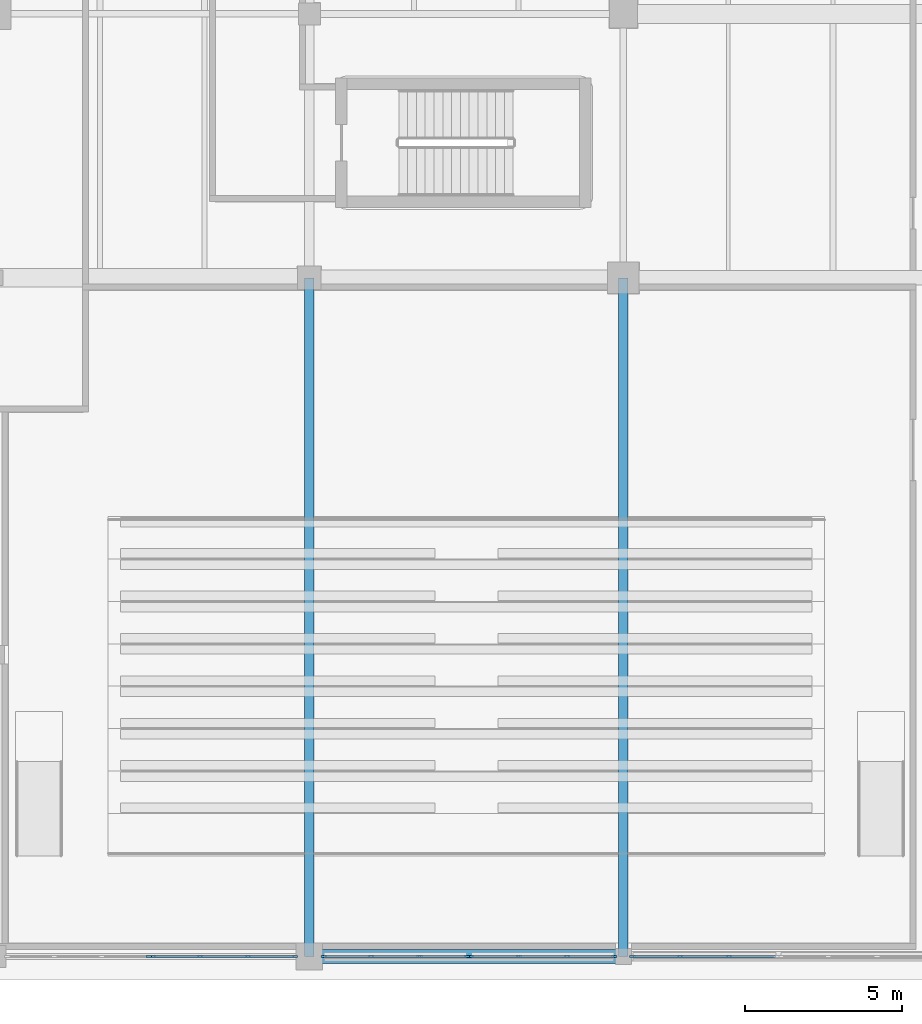
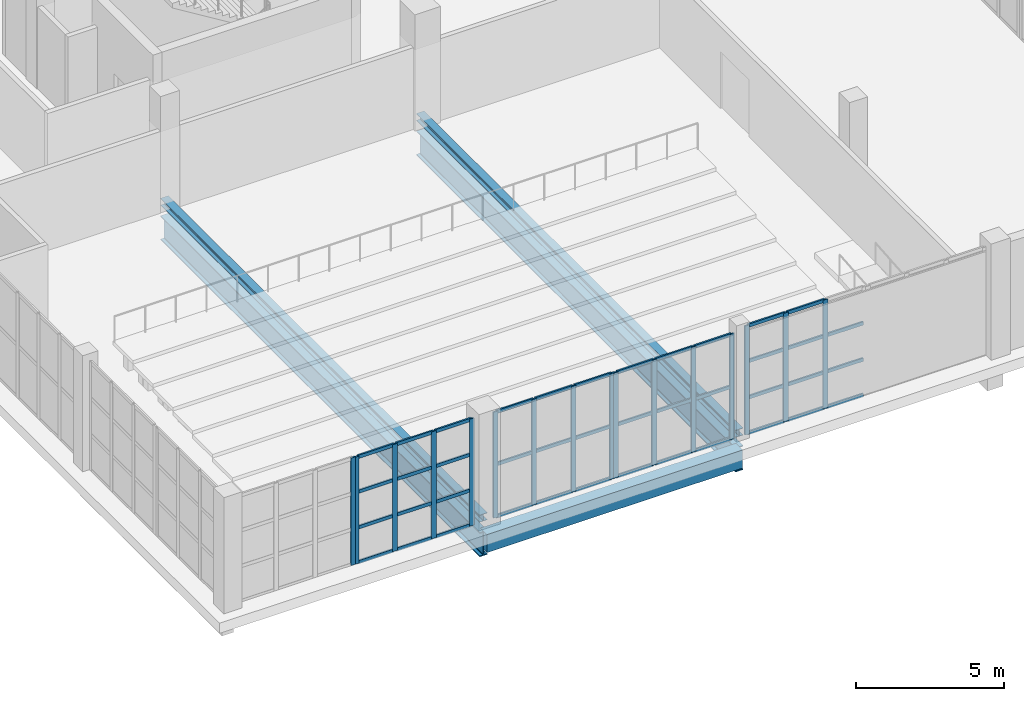
# One storey, part 59 of 121: 57 members, 5 beams, 5 elements without a shape of their own.
"""IFC4 building model written with IfcOpenShell, lengths in metres."""

from ifc_helpers import new_model, si_unit, direction, frame, origin, origin_2d, place, context, subcontext, project, spatial, rectangle, i_section, extrude, material, layer, layer_set, material_profile, profile_set, type_object, element, aggregate, save


model = new_model("IFC4")

# Units and contexts
model_context = context("Model", 3, precision=1e-05, world=origin(), true_north=direction((0.0, 1.0)))
body_context = subcontext(model_context, "Body", "Model", "MODEL_VIEW")
ifc_project = project(units=[si_unit("LENGTHUNIT", "METRE"), si_unit("AREAUNIT", "SQUARE_METRE"), si_unit("VOLUMEUNIT", "CUBIC_METRE"), si_unit("PLANEANGLEUNIT", "RADIAN"), si_unit("MASSUNIT", "GRAM", prefix="KILO")], contexts=[model_context])

# Site, building, storey
site_placement = place(None, origin())
site = spatial("IfcSite", under=ifc_project, at=site_placement, CompositionType="ELEMENT")
building_placement = place(site_placement, origin())
building = spatial("IfcBuilding", under=site, at=building_placement, Name="Zereglee Splitstone Museum", CompositionType="ELEMENT")
storey_placement = place(building_placement, origin())
storey = spatial("IfcBuildingStorey", under=building, at=storey_placement, Name="L00", CompositionType="ELEMENT", Elevation=0.0)

# Curtain wall, member
ifc_material_1 = material(Name="Triple-glazed low-E argon glass and bronze-anodised aluminium", Category="aluminium")
ifc_layer_1 = layer(ifc_material_1, 0.179931640625)
ifc_layer_set_1 = layer_set([ifc_layer_1], Name="Triple-glazed low-E argon glass and bronze-anodised aluminium")
curtain_wall_type_1 = type_object("IfcCurtainWallType", Name="CW-0456-444", PredefinedType="USERDEFINED", material=ifc_layer_set_1)
curtain_wall_1_placement = place(storey_placement, origin())
curtain_wall_1 = element("IfcCurtainWall", 1, at=curtain_wall_1_placement, inside=storey, type_object=curtain_wall_type_1, Name="Glazed Curtain Wall CW-0456-444 (L00)", ObjectType="GLAZED CURTAIN WALL", PredefinedType="USERDEFINED")
ifc_material_2 = material(Name="Thermally broken bronze-anodised aluminium", Category="aluminium")
ifc_material_profile_1 = material_profile(ifc_material_2, rectangle(XDim=0.06494140625, YDim=0.179931640625, at=origin_2d()), Name="CW MULL 65x180")
ifc_profile_set_1 = profile_set([ifc_material_profile_1], Name="Thermally broken bronze-anodised aluminium")
member_type_1 = type_object("IfcMemberType", Name="CWM-01", PredefinedType="MULLION", material=ifc_profile_set_1)
member_1_placement = place(storey_placement, frame((260.889892578125, 0.0, 0.0), z_axis=(0.0, 0.0, 1.0), x_axis=(0.0, 1.0, 0.0)))
member_1 = element("IfcMember", 2, at=member_1_placement, type_object=member_type_1, Name="CW-0456-444 mullion 4", PredefinedType="MULLION", context=body_context, shape_type="SweptSolid", body=[
    extrude(rectangle(XDim=0.06494140625, YDim=0.179931640625, at=origin_2d()), origin(), (0.0, 0.0, 1.0), 4.43994140625),
])
aggregate(curtain_wall_1, [member_1])

# Curtain wall, members
ifc_layer_2 = layer(ifc_material_1, 0.179931640625)
ifc_layer_set_2 = layer_set([ifc_layer_2], Name="Triple-glazed low-E argon glass and bronze-anodised aluminium")
curtain_wall_type_2 = type_object("IfcCurtainWallType", Name="CW-0456-442", PredefinedType="USERDEFINED", material=ifc_layer_set_2)
curtain_wall_2_placement = place(storey_placement, origin())
curtain_wall_2 = element("IfcCurtainWall", 3, at=curtain_wall_2_placement, inside=storey, type_object=curtain_wall_type_2, Name="Glazed Curtain Wall CW-0456-442 (L00)", ObjectType="GLAZED CURTAIN WALL", PredefinedType="USERDEFINED")
member_2_placement = place(storey_placement, frame((261.034912109375, 0.0, 0.0), z_axis=(0.0, 0.0, 1.0), x_axis=(0.0, 1.0, 0.0)))
member_2 = element("IfcMember", 4, at=member_2_placement, type_object=member_type_1, Name="CW-0456-442 mullion 1", PredefinedType="MULLION", context=body_context, shape_type="SweptSolid", body=[
    extrude(rectangle(XDim=0.06494140625, YDim=0.179931640625, at=origin_2d()), origin(), (0.0, 0.0, 1.0), 4.419921875),
])
member_3_placement = place(storey_placement, frame((262.52392578125, 0.0, 0.0), z_axis=(0.0, 0.0, 1.0), x_axis=(0.0, 1.0, 0.0)))
member_3 = element("IfcMember", 5, at=member_3_placement, type_object=member_type_1, Name="CW-0456-442 mullion 2", PredefinedType="MULLION", context=body_context, shape_type="SweptSolid", body=[
    extrude(rectangle(XDim=0.06494140625, YDim=0.179931640625, at=origin_2d()), origin(), (0.0, 0.0, 1.0), 4.419921875),
])
member_4_placement = place(storey_placement, frame((264.04541015625, 0.0, 0.0), z_axis=(0.0, 0.0, 1.0), x_axis=(0.0, 1.0, 0.0)))
member_4 = element("IfcMember", 6, at=member_4_placement, type_object=member_type_1, Name="CW-0456-442 mullion 3", PredefinedType="MULLION", context=body_context, shape_type="SweptSolid", body=[
    extrude(rectangle(XDim=0.06494140625, YDim=0.179931640625, at=origin_2d()), origin(), (0.0, 0.0, 1.0), 4.419921875),
])
member_5_placement = place(storey_placement, frame((265.534423828125, 0.0, 0.0), z_axis=(0.0, 0.0, 1.0), x_axis=(0.0, 1.0, 0.0)))
member_5 = element("IfcMember", 7, at=member_5_placement, type_object=member_type_1, Name="CW-0456-442 mullion 4", PredefinedType="MULLION", context=body_context, shape_type="SweptSolid", body=[
    extrude(rectangle(XDim=0.06494140625, YDim=0.179931640625, at=origin_2d()), origin(), (0.0, 0.0, 1.0), 4.419921875),
])

ifc_layer_3 = layer(ifc_material_1, 0.179931640625)
ifc_layer_set_3 = layer_set([ifc_layer_3], Name="Triple-glazed low-E argon glass and bronze-anodised aluminium")
curtain_wall_type_3 = type_object("IfcCurtainWallType", Name="CW-0461-438", PredefinedType="USERDEFINED", material=ifc_layer_set_3)
curtain_wall_3_placement = place(storey_placement, origin())
curtain_wall_3 = element("IfcCurtainWall", 8, at=curtain_wall_3_placement, inside=storey, type_object=curtain_wall_type_3, Name="Glazed Curtain Wall CW-0461-438 (L00)", ObjectType="GLAZED CURTAIN WALL", PredefinedType="USERDEFINED")
member_6_placement = place(storey_placement, frame((266.465576171875, 0.0, 0.0), z_axis=(0.0, 0.0, 1.0), x_axis=(0.0, 1.0, 0.0)))
member_6 = element("IfcMember", 9, at=member_6_placement, type_object=member_type_1, Name="CW-0461-438 mullion 1", PredefinedType="MULLION", context=body_context, shape_type="SweptSolid", body=[
    extrude(rectangle(XDim=0.06494140625, YDim=0.179931640625, at=origin_2d()), origin(), (0.0, 0.0, 1.0), 4.3798828125),
])
member_7_placement = place(storey_placement, frame((267.97119140625, 0.0, 0.0), z_axis=(0.0, 0.0, 1.0), x_axis=(0.0, 1.0, 0.0)))
member_7 = element("IfcMember", 10, at=member_7_placement, type_object=member_type_1, Name="CW-0461-438 mullion 2", PredefinedType="MULLION", context=body_context, shape_type="SweptSolid", body=[
    extrude(rectangle(XDim=0.06494140625, YDim=0.179931640625, at=origin_2d()), origin(), (0.0, 0.0, 1.0), 4.3798828125),
])
member_8_placement = place(storey_placement, frame((269.50927734375, 0.0, 0.0), z_axis=(0.0, 0.0, 1.0), x_axis=(0.0, 1.0, 0.0)))
member_8 = element("IfcMember", 11, at=member_8_placement, type_object=member_type_1, Name="CW-0461-438 mullion 3", PredefinedType="MULLION", context=body_context, shape_type="SweptSolid", body=[
    extrude(rectangle(XDim=0.06494140625, YDim=0.179931640625, at=origin_2d()), origin(), (0.0, 0.0, 1.0), 4.3798828125),
])
member_9_placement = place(storey_placement, frame((271.014892578125, 0.0, 0.0), z_axis=(0.0, 0.0, 1.0), x_axis=(0.0, 1.0, 0.0)))
member_9 = element("IfcMember", 12, at=member_9_placement, type_object=member_type_1, Name="CW-0461-438 mullion 4", PredefinedType="MULLION", context=body_context, shape_type="SweptSolid", body=[
    extrude(rectangle(XDim=0.06494140625, YDim=0.179931640625, at=origin_2d()), origin(), (0.0, 0.0, 1.0), 4.3798828125),
])

ifc_layer_4 = layer(ifc_material_1, 0.179931640625)
ifc_layer_set_4 = layer_set([ifc_layer_4], Name="Triple-glazed low-E argon glass and bronze-anodised aluminium")
curtain_wall_type_4 = type_object("IfcCurtainWallType", Name="CW-0461-436", PredefinedType="USERDEFINED", material=ifc_layer_set_4)
curtain_wall_4_placement = place(storey_placement, origin())
curtain_wall_4 = element("IfcCurtainWall", 13, at=curtain_wall_4_placement, inside=storey, type_object=curtain_wall_type_4, Name="Glazed Curtain Wall CW-0461-436 (L00)", ObjectType="GLAZED CURTAIN WALL", PredefinedType="USERDEFINED")
member_10_placement = place(storey_placement, frame((271.159912109375, 0.0, 0.0), z_axis=(0.0, 0.0, 1.0), x_axis=(0.0, 1.0, 0.0)))
member_10 = element("IfcMember", 14, at=member_10_placement, type_object=member_type_1, Name="CW-0461-436 mullion 1", PredefinedType="MULLION", context=body_context, shape_type="SweptSolid", body=[
    extrude(rectangle(XDim=0.06494140625, YDim=0.179931640625, at=origin_2d()), origin(), (0.0, 0.0, 1.0), 4.360107421875),
])
member_11_placement = place(storey_placement, frame((272.665771484375, 0.0, 0.0), z_axis=(0.0, 0.0, 1.0), x_axis=(0.0, 1.0, 0.0)))
member_11 = element("IfcMember", 15, at=member_11_placement, type_object=member_type_1, Name="CW-0461-436 mullion 2", PredefinedType="MULLION", context=body_context, shape_type="SweptSolid", body=[
    extrude(rectangle(XDim=0.06494140625, YDim=0.179931640625, at=origin_2d()), origin(), (0.0, 0.0, 1.0), 4.360107421875),
])
member_12_placement = place(storey_placement, frame((274.203857421875, 0.0, 0.0), z_axis=(0.0, 0.0, 1.0), x_axis=(0.0, 1.0, 0.0)))
member_12 = element("IfcMember", 16, at=member_12_placement, type_object=member_type_1, Name="CW-0461-436 mullion 3", PredefinedType="MULLION", context=body_context, shape_type="SweptSolid", body=[
    extrude(rectangle(XDim=0.06494140625, YDim=0.179931640625, at=origin_2d()), origin(), (0.0, 0.0, 1.0), 4.360107421875),
])
member_13_placement = place(storey_placement, frame((275.70947265625, 0.0, 0.0), z_axis=(0.0, 0.0, 1.0), x_axis=(0.0, 1.0, 0.0)))
member_13 = element("IfcMember", 17, at=member_13_placement, type_object=member_type_1, Name="CW-0461-436 mullion 4", PredefinedType="MULLION", context=body_context, shape_type="SweptSolid", body=[
    extrude(rectangle(XDim=0.06494140625, YDim=0.179931640625, at=origin_2d()), origin(), (0.0, 0.0, 1.0), 4.360107421875),
])

ifc_layer_5 = layer(ifc_material_1, 0.179931640625)
ifc_layer_set_5 = layer_set([ifc_layer_5], Name="Triple-glazed low-E argon glass and bronze-anodised aluminium")
curtain_wall_type_5 = type_object("IfcCurtainWallType", Name="CW-0464-450", PredefinedType="USERDEFINED", material=ifc_layer_set_5)
curtain_wall_5_placement = place(storey_placement, origin())
curtain_wall_5 = element("IfcCurtainWall", 18, at=curtain_wall_5_placement, inside=storey, type_object=curtain_wall_type_5, Name="Glazed Curtain Wall CW-0464-450 (L00)", ObjectType="GLAZED CURTAIN WALL", PredefinedType="USERDEFINED")
member_14_placement = place(storey_placement, frame((276.29052734375, 0.0, 0.0), z_axis=(0.0, 0.0, 1.0), x_axis=(0.0, 1.0, 0.0)))
member_14 = element("IfcMember", 19, at=member_14_placement, type_object=member_type_1, Name="CW-0464-450 mullion 1", PredefinedType="MULLION", context=body_context, shape_type="SweptSolid", body=[
    extrude(rectangle(XDim=0.06494140625, YDim=0.179931640625, at=origin_2d()), origin(), (0.0, 0.0, 1.0), 4.5),
])
member_15_placement = place(storey_placement, frame((277.804443359375, 0.0, 0.0), z_axis=(0.0, 0.0, 1.0), x_axis=(0.0, 1.0, 0.0)))
member_15 = element("IfcMember", 20, at=member_15_placement, type_object=member_type_1, Name="CW-0464-450 mullion 2", PredefinedType="MULLION", context=body_context, shape_type="SweptSolid", body=[
    extrude(rectangle(XDim=0.06494140625, YDim=0.179931640625, at=origin_2d()), origin(), (0.0, 0.0, 1.0), 4.5),
])
member_16_placement = place(storey_placement, frame((279.35107421875, 0.0, 0.0), z_axis=(0.0, 0.0, 1.0), x_axis=(0.0, 1.0, 0.0)))
member_16 = element("IfcMember", 21, at=member_16_placement, type_object=member_type_1, Name="CW-0464-450 mullion 3", PredefinedType="MULLION", context=body_context, shape_type="SweptSolid", body=[
    extrude(rectangle(XDim=0.06494140625, YDim=0.179931640625, at=origin_2d()), origin(), (0.0, 0.0, 1.0), 4.5),
])

# Member
ifc_material_profile_2 = material_profile(ifc_material_2, rectangle(XDim=0.06494140625, YDim=0.139892578125, at=origin_2d()), Name="CW TRAN 65x140")
ifc_profile_set_2 = profile_set([ifc_material_profile_2], Name="Thermally broken bronze-anodised aluminium")
member_type_2 = type_object("IfcMemberType", Name="CWT-01", PredefinedType="USERDEFINED", material=ifc_profile_set_2)
member_17_placement = place(storey_placement, frame((261.0673828125, 0.0, 0.032470703125), z_axis=(1.0, 0.0, 0.0), x_axis=(0.0, 1.0, 0.0)))
member_17 = element("IfcMember", 22, at=member_17_placement, type_object=member_type_2, Name="CW-0456-442 transom 1.1", ObjectType="TRANSOM", PredefinedType="USERDEFINED", context=body_context, shape_type="SweptSolid", body=[
    extrude(rectangle(XDim=0.06494140625, YDim=0.139892578125, at=origin_2d()), origin(), (0.0, 0.0, 1.0), 1.424072265625),
])

member_18_placement = place(storey_placement, frame((261.0673828125, 0.0, 1.473388671875), z_axis=(1.0, 0.0, 0.0), x_axis=(0.0, 1.0, 0.0)))
member_18 = element("IfcMember", 23, at=member_18_placement, type_object=member_type_2, Name="CW-0456-442 transom 1.2", ObjectType="TRANSOM", PredefinedType="USERDEFINED", context=body_context, shape_type="SweptSolid", body=[
    extrude(rectangle(XDim=0.06494140625, YDim=0.139892578125, at=origin_2d()), origin(), (0.0, 0.0, 1.0), 1.424072265625),
])

member_19_placement = place(storey_placement, frame((261.0673828125, 0.0, 2.94677734375), z_axis=(1.0, 0.0, 0.0), x_axis=(0.0, 1.0, 0.0)))
member_19 = element("IfcMember", 24, at=member_19_placement, type_object=member_type_2, Name="CW-0456-442 transom 1.3", ObjectType="TRANSOM", PredefinedType="USERDEFINED", context=body_context, shape_type="SweptSolid", body=[
    extrude(rectangle(XDim=0.06494140625, YDim=0.139892578125, at=origin_2d()), origin(), (0.0, 0.0, 1.0), 1.424072265625),
])

member_20_placement = place(storey_placement, frame((261.0673828125, 0.0, 4.387451171875), z_axis=(1.0, 0.0, 0.0), x_axis=(0.0, 1.0, 0.0)))
member_20 = element("IfcMember", 25, at=member_20_placement, type_object=member_type_2, Name="CW-0456-442 transom 1.4", ObjectType="TRANSOM", PredefinedType="USERDEFINED", context=body_context, shape_type="SweptSolid", body=[
    extrude(rectangle(XDim=0.06494140625, YDim=0.139892578125, at=origin_2d()), origin(), (0.0, 0.0, 1.0), 1.424072265625),
])

member_21_placement = place(storey_placement, frame((262.556396484375, 0.0, 0.032470703125), z_axis=(1.0, 0.0, 0.0), x_axis=(0.0, 1.0, 0.0)))
member_21 = element("IfcMember", 26, at=member_21_placement, type_object=member_type_2, Name="CW-0456-442 transom 2.1", ObjectType="TRANSOM", PredefinedType="USERDEFINED", context=body_context, shape_type="SweptSolid", body=[
    extrude(rectangle(XDim=0.06494140625, YDim=0.139892578125, at=origin_2d()), origin(), (0.0, 0.0, 1.0), 1.45654296875),
])

member_22_placement = place(storey_placement, frame((262.556396484375, 0.0, 1.473388671875), z_axis=(1.0, 0.0, 0.0), x_axis=(0.0, 1.0, 0.0)))
member_22 = element("IfcMember", 27, at=member_22_placement, type_object=member_type_2, Name="CW-0456-442 transom 2.2", ObjectType="TRANSOM", PredefinedType="USERDEFINED", context=body_context, shape_type="SweptSolid", body=[
    extrude(rectangle(XDim=0.06494140625, YDim=0.139892578125, at=origin_2d()), origin(), (0.0, 0.0, 1.0), 1.45654296875),
])

member_23_placement = place(storey_placement, frame((262.556396484375, 0.0, 2.94677734375), z_axis=(1.0, 0.0, 0.0), x_axis=(0.0, 1.0, 0.0)))
member_23 = element("IfcMember", 28, at=member_23_placement, type_object=member_type_2, Name="CW-0456-442 transom 2.3", ObjectType="TRANSOM", PredefinedType="USERDEFINED", context=body_context, shape_type="SweptSolid", body=[
    extrude(rectangle(XDim=0.06494140625, YDim=0.139892578125, at=origin_2d()), origin(), (0.0, 0.0, 1.0), 1.45654296875),
])

member_24_placement = place(storey_placement, frame((262.556396484375, 0.0, 4.387451171875), z_axis=(1.0, 0.0, 0.0), x_axis=(0.0, 1.0, 0.0)))
member_24 = element("IfcMember", 29, at=member_24_placement, type_object=member_type_2, Name="CW-0456-442 transom 2.4", ObjectType="TRANSOM", PredefinedType="USERDEFINED", context=body_context, shape_type="SweptSolid", body=[
    extrude(rectangle(XDim=0.06494140625, YDim=0.139892578125, at=origin_2d()), origin(), (0.0, 0.0, 1.0), 1.45654296875),
])

member_25_placement = place(storey_placement, frame((264.077880859375, 0.0, 0.032470703125), z_axis=(1.0, 0.0, 0.0), x_axis=(0.0, 1.0, 0.0)))
member_25 = element("IfcMember", 30, at=member_25_placement, type_object=member_type_2, Name="CW-0456-442 transom 3.1", ObjectType="TRANSOM", PredefinedType="USERDEFINED", context=body_context, shape_type="SweptSolid", body=[
    extrude(rectangle(XDim=0.06494140625, YDim=0.139892578125, at=origin_2d()), origin(), (0.0, 0.0, 1.0), 1.424072265625),
])

member_26_placement = place(storey_placement, frame((264.077880859375, 0.0, 1.473388671875), z_axis=(1.0, 0.0, 0.0), x_axis=(0.0, 1.0, 0.0)))
member_26 = element("IfcMember", 31, at=member_26_placement, type_object=member_type_2, Name="CW-0456-442 transom 3.2", ObjectType="TRANSOM", PredefinedType="USERDEFINED", context=body_context, shape_type="SweptSolid", body=[
    extrude(rectangle(XDim=0.06494140625, YDim=0.139892578125, at=origin_2d()), origin(), (0.0, 0.0, 1.0), 1.424072265625),
])

member_27_placement = place(storey_placement, frame((264.077880859375, 0.0, 2.94677734375), z_axis=(1.0, 0.0, 0.0), x_axis=(0.0, 1.0, 0.0)))
member_27 = element("IfcMember", 32, at=member_27_placement, type_object=member_type_2, Name="CW-0456-442 transom 3.3", ObjectType="TRANSOM", PredefinedType="USERDEFINED", context=body_context, shape_type="SweptSolid", body=[
    extrude(rectangle(XDim=0.06494140625, YDim=0.139892578125, at=origin_2d()), origin(), (0.0, 0.0, 1.0), 1.424072265625),
])

member_28_placement = place(storey_placement, frame((264.077880859375, 0.0, 4.387451171875), z_axis=(1.0, 0.0, 0.0), x_axis=(0.0, 1.0, 0.0)))
member_28 = element("IfcMember", 33, at=member_28_placement, type_object=member_type_2, Name="CW-0456-442 transom 3.4", ObjectType="TRANSOM", PredefinedType="USERDEFINED", context=body_context, shape_type="SweptSolid", body=[
    extrude(rectangle(XDim=0.06494140625, YDim=0.139892578125, at=origin_2d()), origin(), (0.0, 0.0, 1.0), 1.424072265625),
])

aggregate(curtain_wall_2, [member_2, member_3, member_4, member_5, member_17, member_18, member_19, member_20, member_21, member_22, member_23, member_24, member_25, member_26, member_27, member_28])

member_29_placement = place(storey_placement, frame((266.498046875, 0.0, 0.032470703125), z_axis=(1.0, 0.0, 0.0), x_axis=(0.0, 1.0, 0.0)))
member_29 = element("IfcMember", 34, at=member_29_placement, type_object=member_type_2, Name="CW-0461-438 transom 1.1", ObjectType="TRANSOM", PredefinedType="USERDEFINED", context=body_context, shape_type="SweptSolid", body=[
    extrude(rectangle(XDim=0.06494140625, YDim=0.139892578125, at=origin_2d()), origin(), (0.0, 0.0, 1.0), 1.440673828125),
])

member_30_placement = place(storey_placement, frame((266.498046875, 0.0, 2.18994140625), z_axis=(1.0, 0.0, 0.0), x_axis=(0.0, 1.0, 0.0)))
member_30 = element("IfcMember", 35, at=member_30_placement, type_object=member_type_2, Name="CW-0461-438 transom 1.2", ObjectType="TRANSOM", PredefinedType="USERDEFINED", context=body_context, shape_type="SweptSolid", body=[
    extrude(rectangle(XDim=0.06494140625, YDim=0.139892578125, at=origin_2d()), origin(), (0.0, 0.0, 1.0), 1.440673828125),
])

member_31_placement = place(storey_placement, frame((266.498046875, 0.0, 4.347412109375), z_axis=(1.0, 0.0, 0.0), x_axis=(0.0, 1.0, 0.0)))
member_31 = element("IfcMember", 36, at=member_31_placement, type_object=member_type_2, Name="CW-0461-438 transom 1.3", ObjectType="TRANSOM", PredefinedType="USERDEFINED", context=body_context, shape_type="SweptSolid", body=[
    extrude(rectangle(XDim=0.06494140625, YDim=0.139892578125, at=origin_2d()), origin(), (0.0, 0.0, 1.0), 1.440673828125),
])

member_32_placement = place(storey_placement, frame((268.003662109375, 0.0, 0.032470703125), z_axis=(1.0, 0.0, 0.0), x_axis=(0.0, 1.0, 0.0)))
member_32 = element("IfcMember", 37, at=member_32_placement, type_object=member_type_2, Name="CW-0461-438 transom 2.1", ObjectType="TRANSOM", PredefinedType="USERDEFINED", context=body_context, shape_type="SweptSolid", body=[
    extrude(rectangle(XDim=0.06494140625, YDim=0.139892578125, at=origin_2d()), origin(), (0.0, 0.0, 1.0), 1.47314453125),
])

member_33_placement = place(storey_placement, frame((268.003662109375, 0.0, 2.18994140625), z_axis=(1.0, 0.0, 0.0), x_axis=(0.0, 1.0, 0.0)))
member_33 = element("IfcMember", 38, at=member_33_placement, type_object=member_type_2, Name="CW-0461-438 transom 2.2", ObjectType="TRANSOM", PredefinedType="USERDEFINED", context=body_context, shape_type="SweptSolid", body=[
    extrude(rectangle(XDim=0.06494140625, YDim=0.139892578125, at=origin_2d()), origin(), (0.0, 0.0, 1.0), 1.47314453125),
])

member_34_placement = place(storey_placement, frame((268.003662109375, 0.0, 4.347412109375), z_axis=(1.0, 0.0, 0.0), x_axis=(0.0, 1.0, 0.0)))
member_34 = element("IfcMember", 39, at=member_34_placement, type_object=member_type_2, Name="CW-0461-438 transom 2.3", ObjectType="TRANSOM", PredefinedType="USERDEFINED", context=body_context, shape_type="SweptSolid", body=[
    extrude(rectangle(XDim=0.06494140625, YDim=0.139892578125, at=origin_2d()), origin(), (0.0, 0.0, 1.0), 1.47314453125),
])

member_35_placement = place(storey_placement, frame((269.541748046875, 0.0, 0.032470703125), z_axis=(1.0, 0.0, 0.0), x_axis=(0.0, 1.0, 0.0)))
member_35 = element("IfcMember", 40, at=member_35_placement, type_object=member_type_2, Name="CW-0461-438 transom 3.1", ObjectType="TRANSOM", PredefinedType="USERDEFINED", context=body_context, shape_type="SweptSolid", body=[
    extrude(rectangle(XDim=0.06494140625, YDim=0.139892578125, at=origin_2d()), origin(), (0.0, 0.0, 1.0), 1.440673828125),
])

member_36_placement = place(storey_placement, frame((269.541748046875, 0.0, 2.18994140625), z_axis=(1.0, 0.0, 0.0), x_axis=(0.0, 1.0, 0.0)))
member_36 = element("IfcMember", 41, at=member_36_placement, type_object=member_type_2, Name="CW-0461-438 transom 3.2", ObjectType="TRANSOM", PredefinedType="USERDEFINED", context=body_context, shape_type="SweptSolid", body=[
    extrude(rectangle(XDim=0.06494140625, YDim=0.139892578125, at=origin_2d()), origin(), (0.0, 0.0, 1.0), 1.440673828125),
])

member_37_placement = place(storey_placement, frame((269.541748046875, 0.0, 4.347412109375), z_axis=(1.0, 0.0, 0.0), x_axis=(0.0, 1.0, 0.0)))
member_37 = element("IfcMember", 42, at=member_37_placement, type_object=member_type_2, Name="CW-0461-438 transom 3.3", ObjectType="TRANSOM", PredefinedType="USERDEFINED", context=body_context, shape_type="SweptSolid", body=[
    extrude(rectangle(XDim=0.06494140625, YDim=0.139892578125, at=origin_2d()), origin(), (0.0, 0.0, 1.0), 1.440673828125),
])

aggregate(curtain_wall_3, [member_6, member_7, member_8, member_9, member_29, member_30, member_31, member_32, member_33, member_34, member_35, member_36, member_37])

member_38_placement = place(storey_placement, frame((271.1923828125, 0.0, 0.032470703125), z_axis=(1.0, 0.0, 0.0), x_axis=(0.0, 1.0, 0.0)))
member_38 = element("IfcMember", 43, at=member_38_placement, type_object=member_type_2, Name="CW-0461-436 transom 1.1", ObjectType="TRANSOM", PredefinedType="USERDEFINED", context=body_context, shape_type="SweptSolid", body=[
    extrude(rectangle(XDim=0.06494140625, YDim=0.139892578125, at=origin_2d()), origin(), (0.0, 0.0, 1.0), 1.440673828125),
])

member_39_placement = place(storey_placement, frame((271.1923828125, 0.0, 2.179931640625), z_axis=(1.0, 0.0, 0.0), x_axis=(0.0, 1.0, 0.0)))
member_39 = element("IfcMember", 44, at=member_39_placement, type_object=member_type_2, Name="CW-0461-436 transom 1.2", ObjectType="TRANSOM", PredefinedType="USERDEFINED", context=body_context, shape_type="SweptSolid", body=[
    extrude(rectangle(XDim=0.06494140625, YDim=0.139892578125, at=origin_2d()), origin(), (0.0, 0.0, 1.0), 1.440673828125),
])

member_40_placement = place(storey_placement, frame((271.1923828125, 0.0, 4.327392578125), z_axis=(1.0, 0.0, 0.0), x_axis=(0.0, 1.0, 0.0)))
member_40 = element("IfcMember", 45, at=member_40_placement, type_object=member_type_2, Name="CW-0461-436 transom 1.3", ObjectType="TRANSOM", PredefinedType="USERDEFINED", context=body_context, shape_type="SweptSolid", body=[
    extrude(rectangle(XDim=0.06494140625, YDim=0.139892578125, at=origin_2d()), origin(), (0.0, 0.0, 1.0), 1.440673828125),
])

member_41_placement = place(storey_placement, frame((272.6982421875, 0.0, 0.032470703125), z_axis=(1.0, 0.0, 0.0), x_axis=(0.0, 1.0, 0.0)))
member_41 = element("IfcMember", 46, at=member_41_placement, type_object=member_type_2, Name="CW-0461-436 transom 2.1", ObjectType="TRANSOM", PredefinedType="USERDEFINED", context=body_context, shape_type="SweptSolid", body=[
    extrude(rectangle(XDim=0.06494140625, YDim=0.139892578125, at=origin_2d()), origin(), (0.0, 0.0, 1.0), 1.47314453125),
])

member_42_placement = place(storey_placement, frame((272.6982421875, 0.0, 2.179931640625), z_axis=(1.0, 0.0, 0.0), x_axis=(0.0, 1.0, 0.0)))
member_42 = element("IfcMember", 47, at=member_42_placement, type_object=member_type_2, Name="CW-0461-436 transom 2.2", ObjectType="TRANSOM", PredefinedType="USERDEFINED", context=body_context, shape_type="SweptSolid", body=[
    extrude(rectangle(XDim=0.06494140625, YDim=0.139892578125, at=origin_2d()), origin(), (0.0, 0.0, 1.0), 1.47314453125),
])

member_43_placement = place(storey_placement, frame((272.6982421875, 0.0, 4.327392578125), z_axis=(1.0, 0.0, 0.0), x_axis=(0.0, 1.0, 0.0)))
member_43 = element("IfcMember", 48, at=member_43_placement, type_object=member_type_2, Name="CW-0461-436 transom 2.3", ObjectType="TRANSOM", PredefinedType="USERDEFINED", context=body_context, shape_type="SweptSolid", body=[
    extrude(rectangle(XDim=0.06494140625, YDim=0.139892578125, at=origin_2d()), origin(), (0.0, 0.0, 1.0), 1.47314453125),
])

member_44_placement = place(storey_placement, frame((274.236328125, 0.0, 0.032470703125), z_axis=(1.0, 0.0, 0.0), x_axis=(0.0, 1.0, 0.0)))
member_44 = element("IfcMember", 49, at=member_44_placement, type_object=member_type_2, Name="CW-0461-436 transom 3.1", ObjectType="TRANSOM", PredefinedType="USERDEFINED", context=body_context, shape_type="SweptSolid", body=[
    extrude(rectangle(XDim=0.06494140625, YDim=0.139892578125, at=origin_2d()), origin(), (0.0, 0.0, 1.0), 1.440673828125),
])

member_45_placement = place(storey_placement, frame((274.236328125, 0.0, 2.179931640625), z_axis=(1.0, 0.0, 0.0), x_axis=(0.0, 1.0, 0.0)))
member_45 = element("IfcMember", 50, at=member_45_placement, type_object=member_type_2, Name="CW-0461-436 transom 3.2", ObjectType="TRANSOM", PredefinedType="USERDEFINED", context=body_context, shape_type="SweptSolid", body=[
    extrude(rectangle(XDim=0.06494140625, YDim=0.139892578125, at=origin_2d()), origin(), (0.0, 0.0, 1.0), 1.440673828125),
])

member_46_placement = place(storey_placement, frame((274.236328125, 0.0, 4.327392578125), z_axis=(1.0, 0.0, 0.0), x_axis=(0.0, 1.0, 0.0)))
member_46 = element("IfcMember", 51, at=member_46_placement, type_object=member_type_2, Name="CW-0461-436 transom 3.3", ObjectType="TRANSOM", PredefinedType="USERDEFINED", context=body_context, shape_type="SweptSolid", body=[
    extrude(rectangle(XDim=0.06494140625, YDim=0.139892578125, at=origin_2d()), origin(), (0.0, 0.0, 1.0), 1.440673828125),
])

aggregate(curtain_wall_4, [member_10, member_11, member_12, member_13, member_38, member_39, member_40, member_41, member_42, member_43, member_44, member_45, member_46])

member_47_placement = place(storey_placement, frame((276.322998046875, 0.0, 0.032470703125), z_axis=(1.0, 0.0, 0.0), x_axis=(0.0, 1.0, 0.0)))
member_47 = element("IfcMember", 52, at=member_47_placement, type_object=member_type_2, Name="CW-0464-450 transom 1.1", ObjectType="TRANSOM", PredefinedType="USERDEFINED", context=body_context, shape_type="SweptSolid", body=[
    extrude(rectangle(XDim=0.06494140625, YDim=0.139892578125, at=origin_2d()), origin(), (0.0, 0.0, 1.0), 1.448974609375),
])

member_48_placement = place(storey_placement, frame((276.322998046875, 0.0, 1.5), z_axis=(1.0, 0.0, 0.0), x_axis=(0.0, 1.0, 0.0)))
member_48 = element("IfcMember", 53, at=member_48_placement, type_object=member_type_2, Name="CW-0464-450 transom 1.2", ObjectType="TRANSOM", PredefinedType="USERDEFINED", context=body_context, shape_type="SweptSolid", body=[
    extrude(rectangle(XDim=0.06494140625, YDim=0.139892578125, at=origin_2d()), origin(), (0.0, 0.0, 1.0), 1.448974609375),
])

member_49_placement = place(storey_placement, frame((276.322998046875, 0.0, 3.0), z_axis=(1.0, 0.0, 0.0), x_axis=(0.0, 1.0, 0.0)))
member_49 = element("IfcMember", 54, at=member_49_placement, type_object=member_type_2, Name="CW-0464-450 transom 1.3", ObjectType="TRANSOM", PredefinedType="USERDEFINED", context=body_context, shape_type="SweptSolid", body=[
    extrude(rectangle(XDim=0.06494140625, YDim=0.139892578125, at=origin_2d()), origin(), (0.0, 0.0, 1.0), 1.448974609375),
])

member_50_placement = place(storey_placement, frame((276.322998046875, 0.0, 4.467529296875), z_axis=(1.0, 0.0, 0.0), x_axis=(0.0, 1.0, 0.0)))
member_50 = element("IfcMember", 55, at=member_50_placement, type_object=member_type_2, Name="CW-0464-450 transom 1.4", ObjectType="TRANSOM", PredefinedType="USERDEFINED", context=body_context, shape_type="SweptSolid", body=[
    extrude(rectangle(XDim=0.06494140625, YDim=0.139892578125, at=origin_2d()), origin(), (0.0, 0.0, 1.0), 1.448974609375),
])

member_51_placement = place(storey_placement, frame((277.8369140625, 0.0, 0.032470703125), z_axis=(1.0, 0.0, 0.0), x_axis=(0.0, 1.0, 0.0)))
member_51 = element("IfcMember", 56, at=member_51_placement, type_object=member_type_2, Name="CW-0464-450 transom 2.1", ObjectType="TRANSOM", PredefinedType="USERDEFINED", context=body_context, shape_type="SweptSolid", body=[
    extrude(rectangle(XDim=0.06494140625, YDim=0.139892578125, at=origin_2d()), origin(), (0.0, 0.0, 1.0), 1.481689453125),
])

member_52_placement = place(storey_placement, frame((277.8369140625, 0.0, 1.5), z_axis=(1.0, 0.0, 0.0), x_axis=(0.0, 1.0, 0.0)))
member_52 = element("IfcMember", 57, at=member_52_placement, type_object=member_type_2, Name="CW-0464-450 transom 2.2", ObjectType="TRANSOM", PredefinedType="USERDEFINED", context=body_context, shape_type="SweptSolid", body=[
    extrude(rectangle(XDim=0.06494140625, YDim=0.139892578125, at=origin_2d()), origin(), (0.0, 0.0, 1.0), 1.481689453125),
])

member_53_placement = place(storey_placement, frame((277.8369140625, 0.0, 3.0), z_axis=(1.0, 0.0, 0.0), x_axis=(0.0, 1.0, 0.0)))
member_53 = element("IfcMember", 58, at=member_53_placement, type_object=member_type_2, Name="CW-0464-450 transom 2.3", ObjectType="TRANSOM", PredefinedType="USERDEFINED", context=body_context, shape_type="SweptSolid", body=[
    extrude(rectangle(XDim=0.06494140625, YDim=0.139892578125, at=origin_2d()), origin(), (0.0, 0.0, 1.0), 1.481689453125),
])

member_54_placement = place(storey_placement, frame((277.8369140625, 0.0, 4.467529296875), z_axis=(1.0, 0.0, 0.0), x_axis=(0.0, 1.0, 0.0)))
member_54 = element("IfcMember", 59, at=member_54_placement, type_object=member_type_2, Name="CW-0464-450 transom 2.4", ObjectType="TRANSOM", PredefinedType="USERDEFINED", context=body_context, shape_type="SweptSolid", body=[
    extrude(rectangle(XDim=0.06494140625, YDim=0.139892578125, at=origin_2d()), origin(), (0.0, 0.0, 1.0), 1.481689453125),
])

member_55_placement = place(storey_placement, frame((279.383544921875, 0.0, 0.032470703125), z_axis=(1.0, 0.0, 0.0), x_axis=(0.0, 1.0, 0.0)))
member_55 = element("IfcMember", 60, at=member_55_placement, type_object=member_type_2, Name="CW-0464-450 transom 3.1", ObjectType="TRANSOM", PredefinedType="USERDEFINED", context=body_context, shape_type="SweptSolid", body=[
    extrude(rectangle(XDim=0.06494140625, YDim=0.139892578125, at=origin_2d()), origin(), (0.0, 0.0, 1.0), 1.448974609375),
])

member_56_placement = place(storey_placement, frame((279.383544921875, 0.0, 1.5), z_axis=(1.0, 0.0, 0.0), x_axis=(0.0, 1.0, 0.0)))
member_56 = element("IfcMember", 61, at=member_56_placement, type_object=member_type_2, Name="CW-0464-450 transom 3.2", ObjectType="TRANSOM", PredefinedType="USERDEFINED", context=body_context, shape_type="SweptSolid", body=[
    extrude(rectangle(XDim=0.06494140625, YDim=0.139892578125, at=origin_2d()), origin(), (0.0, 0.0, 1.0), 1.448974609375),
])

member_57_placement = place(storey_placement, frame((279.383544921875, 0.0, 3.0), z_axis=(1.0, 0.0, 0.0), x_axis=(0.0, 1.0, 0.0)))
member_57 = element("IfcMember", 62, at=member_57_placement, type_object=member_type_2, Name="CW-0464-450 transom 3.3", ObjectType="TRANSOM", PredefinedType="USERDEFINED", context=body_context, shape_type="SweptSolid", body=[
    extrude(rectangle(XDim=0.06494140625, YDim=0.139892578125, at=origin_2d()), origin(), (0.0, 0.0, 1.0), 1.448974609375),
])

aggregate(curtain_wall_5, [member_14, member_15, member_16, member_47, member_48, member_49, member_50, member_51, member_52, member_53, member_54, member_55, member_56, member_57])

# Beams
ifc_material_3 = material(Name="Steel S355J2", Category="steel")
ifc_material_profile_3 = material_profile(ifc_material_3, i_section(OverallWidth=0.302001953125, OverallDepth=1.008056640625, WebThickness=0.02099609375, FlangeThickness=0.0400390625, FilletRadius=0.030029296875, at=origin_2d()), Name="HE 1000 M")
ifc_profile_set_3 = profile_set([ifc_material_profile_3], Name="Steel S355J2")
beam_type_1 = type_object("IfcBeamType", Name="BG-05", PredefinedType="BEAM", material=ifc_profile_set_3)
for number, where, z_axis, x_axis, name in (
    (63, (266.0, 0.0, -0.924072265625), (0.0, 1.0, 0.0), (-1.0, 0.0, 0.0), "Primary Girder L00 30 (0.0-21.6)"),
    (64, (276.0, 0.0, -0.924072265625), (0.0, 1.0, 0.0), (-1.0, 0.0, 0.0), "Primary Girder L00 31 (0.0-21.6)"),
):
    element("IfcBeam", number, at=place(storey_placement, frame(where, z_axis=z_axis, x_axis=x_axis)), inside=storey, type_object=beam_type_1, Name=name, PredefinedType="BEAM", context=body_context, shape_type="SweptSolid", body=[
        extrude(i_section(OverallWidth=0.302001953125, OverallDepth=1.008056640625, WebThickness=0.02099609375, FlangeThickness=0.0400390625, FilletRadius=0.030029296875, at=origin_2d()), origin(), (0.0, 0.0, 1.0), 21.60009765625),
    ])
ifc_material_profile_4 = material_profile(ifc_material_3, i_section(OverallWidth=0.300048828125, OverallDepth=0.300048828125, WebThickness=0.010986328125, FlangeThickness=0.01904296875, FilletRadius=0.027099609375, at=origin_2d()), Name="HE 300 B")
ifc_profile_set_4 = profile_set([ifc_material_profile_4], Name="Steel S355J2")
beam_type_2 = type_object("IfcBeamType", Name="BR-01", PredefinedType="BEAM", material=ifc_profile_set_4)
for number, where, z_axis, x_axis, name in (
    (65, (266.0, 0.0, 0.14990234375), (0.0, 1.0, 0.0), (-1.0, 0.0, 0.0), "Auditorium RAKER Beam 266"),
    (66, (276.0, 0.0, 0.14990234375), (0.0, 1.0, 0.0), (-1.0, 0.0, 0.0), "Auditorium RAKER Beam 276"),
):
    element("IfcBeam", number, at=place(storey_placement, frame(where, z_axis=z_axis, x_axis=x_axis)), inside=storey, type_object=beam_type_2, Name=name, PredefinedType="BEAM", context=body_context, shape_type="SweptSolid", body=[
        extrude(i_section(OverallWidth=0.300048828125, OverallDepth=0.300048828125, WebThickness=0.010986328125, FlangeThickness=0.01904296875, FilletRadius=0.027099609375, at=origin_2d()), origin(), (0.0, 0.0, 1.0), 21.60009765625),
    ])
ifc_material_4 = material(Name="Concrete C40/50", Category="concrete")
ifc_material_profile_5 = material_profile(ifc_material_4, rectangle(XDim=0.449951171875, YDim=0.75, at=origin_2d()), Name="RC 450x750")
ifc_profile_set_5 = profile_set([ifc_material_profile_5], Name="Concrete C40/50")
beam_type_3 = type_object("IfcBeamType", Name="SP-01", PredefinedType="SPANDREL", material=ifc_profile_set_5)
beam_placement = place(storey_placement, frame((266.0, 0.0, -0.794921875), z_axis=(1.0, 0.0, 0.0), x_axis=(0.0, 1.0, 0.0)))
element("IfcBeam", 67, at=beam_placement, inside=storey, type_object=beam_type_3, Name="Primary Girder L00 A (266.0-276.0)", PredefinedType="SPANDREL", context=body_context, shape_type="SweptSolid", body=[
    extrude(rectangle(XDim=0.449951171875, YDim=0.75, at=origin_2d()), origin(), (0.0, 0.0, 1.0), 10.0),
])

save(model, "model.ifc")
